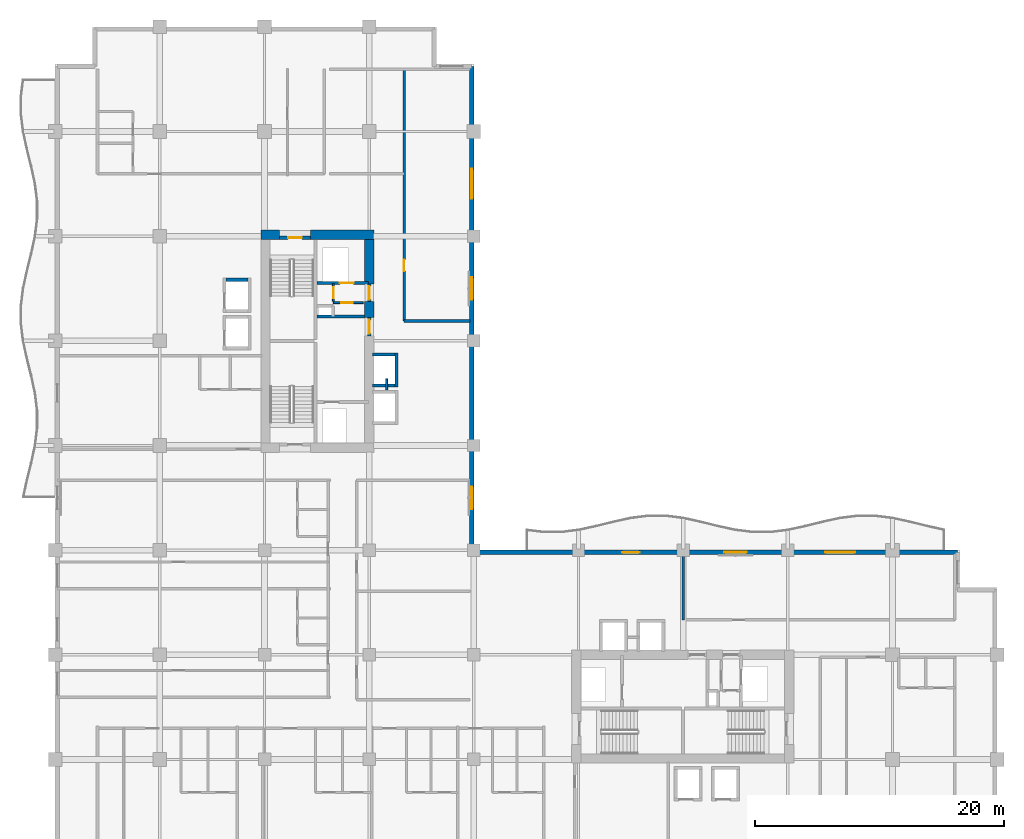
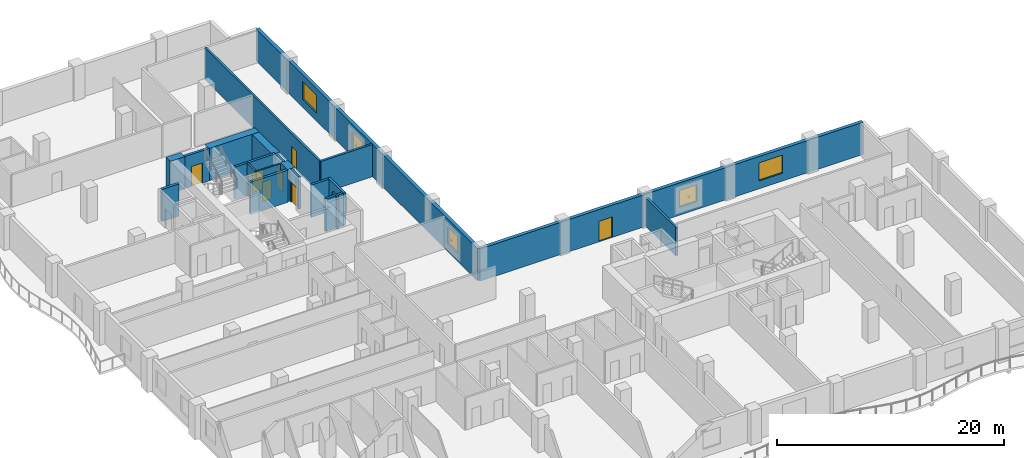
# One storey, part 8 of 16: 21 walls, 8 doors, 5 windows, 13 openings.
"""IFC4 building model written with IfcOpenShell, lengths in metres."""

from ifc_helpers import new_model, si_unit, direction, frame, frame_2d, origin, place, context, subcontext, project, spatial, rectangle, extrude, material, layer, layer_set, type_object, element, fill, save


model = new_model("IFC4")

# Units and contexts
model_context = context("Model", 3, precision=1e-05, world=origin(), true_north=direction((0.0, 1.0)))
body_context = subcontext(model_context, "Body", "Model", "MODEL_VIEW")
ifc_project = project(units=[si_unit("LENGTHUNIT", "METRE"), si_unit("AREAUNIT", "SQUARE_METRE"), si_unit("VOLUMEUNIT", "CUBIC_METRE"), si_unit("PLANEANGLEUNIT", "RADIAN"), si_unit("MASSUNIT", "GRAM", prefix="KILO")], contexts=[model_context])

# Site, building, storey
site_placement = place(None, origin())
site = spatial("IfcSite", under=ifc_project, at=site_placement, CompositionType="ELEMENT")
building_placement = place(site_placement, origin())
building = spatial("IfcBuilding", under=site, at=building_placement, Name="Koriwani Terraces Tower", CompositionType="ELEMENT")
storey_placement = place(building_placement, frame((0.0, 0.0, 179.10009765625)))
storey = spatial("IfcBuildingStorey", under=building, at=storey_placement, Name="L43", CompositionType="ELEMENT", Elevation=179.10009765625)

# Walls
ifc_material_1 = material(Name="Concrete C60/75", Category="concrete")
ifc_layer_1 = layer(ifc_material_1, 0.75, Name="Concrete C60/75")
ifc_layer_set_1 = layer_set([ifc_layer_1], Name="Concrete C60/75")
wall_type_1 = type_object("IfcWallType", Name="WALL_CORE_RC_750", PredefinedType="SHEAR", material=ifc_layer_set_1)
wall_1_placement = place(storey_placement, frame((16.5, 58.925048828125, 0.0), z_axis=(0.0, 0.0, 1.0), x_axis=(1.0, 0.0, 0.0)))
element("IfcWall", 1, at=wall_1_placement, inside=storey, type_object=wall_type_1, Name="L43 West Split Core Shear Wall N1", PredefinedType="SHEAR", context=body_context, shape_type="SweptSolid", body=[
    extrude(rectangle(XDim=1.5, YDim=0.75, at=frame_2d((0.75, 0.0))), origin(), (0.0, 0.0, 1.0), 3.469970703125),
])
wall_2_placement = place(storey_placement, frame((20.5, 58.925048828125, 0.0), z_axis=(0.0, 0.0, 1.0), x_axis=(1.0, 0.0, 0.0)))
element("IfcWall", 2, at=wall_2_placement, inside=storey, type_object=wall_type_1, Name="L43 West Split Core Shear Wall N2", PredefinedType="SHEAR", context=body_context, shape_type="SweptSolid", body=[
    extrude(rectangle(XDim=5.074951171875, YDim=0.75, at=frame_2d((2.53759765625, 0.0))), origin(), (0.0, 0.0, 1.0), 3.469970703125),
])
wall_3_placement = place(storey_placement, frame((25.199951171875, 52.280029296875, 0.0), z_axis=(0.0, 0.0, 1.0), x_axis=(0.0, 1.0, 0.0)))
element("IfcWall", 3, at=wall_3_placement, inside=storey, type_object=wall_type_1, Name="L43 West Split Core Shear Wall E2", PredefinedType="SHEAR", context=body_context, shape_type="SweptSolid", body=[
    extrude(rectangle(XDim=1.27001953125, YDim=0.75, at=frame_2d((0.635009765625, 0.0))), origin(), (0.0, 0.0, 1.0), 3.469970703125),
])
wall_4_placement = place(storey_placement, frame((25.199951171875, 54.949951171875, 0.0), z_axis=(0.0, 0.0, 1.0), x_axis=(0.0, 1.0, 0.0)))
element("IfcWall", 4, at=wall_4_placement, inside=storey, type_object=wall_type_1, Name="L43 West Split Core Shear Wall E3", PredefinedType="SHEAR", context=body_context, shape_type="SweptSolid", body=[
    extrude(rectangle(XDim=3.60009765625, YDim=0.75, at=frame_2d((1.800048828125, 0.0))), origin(), (0.0, 0.0, 1.0), 3.469970703125),
])

# Wall, opening, door
ifc_material_2 = material(Name="Autoclaved Cellular Concrete Blockwork", Category="masonry")
ifc_layer_2 = layer(ifc_material_2, 0.199951171875, Name="Autoclaved Cellular Concrete Blockwork")
ifc_layer_set_2 = layer_set([ifc_layer_2], Name="Autoclaved Cellular Concrete Blockwork")
wall_type_2 = type_object("IfcWallType", Name="WALL_CORRIDOR_200", PredefinedType="PARTITIONING", material=ifc_layer_set_2)
wall_5_placement = place(storey_placement, frame((28.0, 52.0, 0.0), z_axis=(0.0, 0.0, 1.0), x_axis=(0.0, 1.0, 0.0)))
wall_5 = element("IfcWall", 5, at=wall_5_placement, inside=storey, type_object=wall_type_2, Name="L43 Interior Wall WNWT2-W-L43", PredefinedType="PARTITIONING", context=body_context, shape_type="SweptSolid", body=[
    extrude(rectangle(XDim=20.199951171875, YDim=0.199951171875, at=frame_2d((10.10009765625, 0.0))), origin(), (0.0, 0.0, 1.0), 3.469970703125),
])
opening_1_placement = place(wall_5_placement, frame((4.0, 0.0, 0.0)))
opening_1 = element("IfcOpeningElement", 6, at=opening_1_placement, cuts=wall_5, Name="Opening D-06", PredefinedType="OPENING", context=body_context, shape_type="SweptSolid", body=[
    extrude(rectangle(XDim=0.919921875, YDim=2.10009765625, at=frame_2d((0.4599609375, 1.050048828125))), frame((0.0, 0.10986328125, 0.0), z_axis=(0.0, -1.0, 0.0), x_axis=(1.0, 0.0, 0.0)), (0.0, 0.0, 1.0), 0.219970703125),
])
ifc_material_3 = material(Name="Architectural Oak Fire Door", Category="wood")
door_type_1 = type_object("IfcDoorType", Name="DOOR_ROOM_INT_920X2100", OperationType="NOTDEFINED", PredefinedType="DOOR", material=ifc_material_3)
door_1_placement = place(opening_1_placement, origin())
door_1 = element("IfcDoor", 7, at=door_1_placement, inside=storey, type_object=door_type_1, Name="L43 North Court Lounge Door", OperationType="SINGLE_SWING_LEFT", OverallHeight=2.10009765625, OverallWidth=0.919921875, PredefinedType="DOOR", context=body_context, shape_type="SweptSolid", body=[
    extrude(rectangle(XDim=0.919921875, YDim=2.10009765625, at=frame_2d((0.4599609375, 1.050048828125))), frame((0.0, 0.02490234375, 0.0), z_axis=(0.0, -1.0, 0.0), x_axis=(1.0, 0.0, 0.0)), (0.0, 0.0, 1.0), 0.050048828125),
])
fill(opening_1, door_1)

# Walls
ifc_layer_3 = layer(ifc_material_2, 0.219970703125, Name="Autoclaved Cellular Concrete Blockwork")
ifc_layer_set_3 = layer_set([ifc_layer_3], Name="Autoclaved Cellular Concrete Blockwork")
wall_type_3 = type_object("IfcWallType", Name="WALL_DEMISING_220", PredefinedType="PARTITIONING", material=ifc_layer_set_3)
wall_6_placement = place(storey_placement, frame((28.0, 52.0, 0.0), z_axis=(0.0, 0.0, 1.0), x_axis=(1.0, 0.0, 0.0)))
element("IfcWall", 8, at=wall_6_placement, inside=storey, type_object=wall_type_3, Name="L43 Interior Wall WNWT2-S-L43", PredefinedType="PARTITIONING", context=body_context, shape_type="SweptSolid", body=[
    extrude(rectangle(XDim=5.300048828125, YDim=0.219970703125, at=frame_2d((2.64990234375, 0.0))), origin(), (0.0, 0.0, 1.0), 3.469970703125),
])
wall_7_placement = place(storey_placement, frame((50.39990234375, 28.0, 0.0), z_axis=(0.0, 0.0, 1.0), x_axis=(0.0, 1.0, 0.0)))
element("IfcWall", 9, at=wall_7_placement, inside=storey, type_object=wall_type_3, Name="L43 Interior Wall WSEC-W-L43", PredefinedType="PARTITIONING", context=body_context, shape_type="SweptSolid", body=[
    extrude(rectangle(XDim=5.300048828125, YDim=0.219970703125, at=frame_2d((2.64990234375, 0.0))), origin(), (0.0, 0.0, 1.0), 3.052978515625),
])

# Wall, openings, windows
ifc_material_4 = material(Name="Concrete C50/60", Category="concrete")
ifc_layer_4 = layer(ifc_material_4, 0.35009765625, Name="Concrete C50/60")
ifc_layer_set_4 = layer_set([ifc_layer_4], Name="Concrete C50/60")
wall_type_4 = type_object("IfcWallType", Name="WALL_EXT_BRUTALIST_350", PredefinedType="STANDARD", material=ifc_layer_set_4)
wall_8_placement = place(storey_placement, frame((33.425048828125, 72.425048828125, 0.0), z_axis=(0.0, 0.0, 1.0), x_axis=(0.0, -1.0, 0.0)))
wall_8 = element("IfcWall", 10, at=wall_8_placement, inside=storey, type_object=wall_type_4, Name="L43 Fair-Faced Brutalist Exterior Wall (NW_IN)", PredefinedType="STANDARD", context=body_context, shape_type="SweptSolid", body=[
    extrude(rectangle(XDim=39.0, YDim=0.35009765625, at=frame_2d((19.5, 0.0))), origin(), (0.0, 0.0, 1.0), 3.469970703125),
])
opening_2_placement = place(wall_8_placement, frame((33.72509765625, 0.0, 0.85009765625)))
opening_2 = element("IfcOpeningElement", 11, at=opening_2_placement, cuts=wall_8, Name="Opening W-04", PredefinedType="OPENING", context=body_context, shape_type="SweptSolid", body=[
    extrude(rectangle(XDim=1.800048828125, YDim=1.800048828125, at=frame_2d((0.89990234375, 0.89990234375))), frame((0.0, 0.18505859375, 0.0), z_axis=(0.0, -1.0, 0.0), x_axis=(1.0, 0.0, 0.0)), (0.0, 0.0, 1.0), 0.3701171875),
])
opening_3_placement = place(wall_8_placement, frame((16.925048828125, 0.0, 0.85009765625)))
opening_3 = element("IfcOpeningElement", 12, at=opening_3_placement, cuts=wall_8, Name="Opening W-04", PredefinedType="OPENING", context=body_context, shape_type="SweptSolid", body=[
    extrude(rectangle(XDim=1.800048828125, YDim=1.800048828125, at=frame_2d((0.89990234375, 0.89990234375))), frame((0.0, 0.18505859375, 0.0), z_axis=(0.0, -1.0, 0.0), x_axis=(1.0, 0.0, 0.0)), (0.0, 0.0, 1.0), 0.3701171875),
])
opening_4_placement = place(wall_8_placement, frame((8.22509765625, 0.0, 0.85009765625)))
opening_4 = element("IfcOpeningElement", 13, at=opening_4_placement, cuts=wall_8, Name="Opening W-03", PredefinedType="OPENING", context=body_context, shape_type="SweptSolid", body=[
    extrude(rectangle(XDim=2.39990234375, YDim=1.949951171875, at=frame_2d((1.199951171875, 0.97509765625))), frame((0.0, 0.18505859375, 0.0), z_axis=(0.0, -1.0, 0.0), x_axis=(1.0, 0.0, 0.0)), (0.0, 0.0, 1.0), 0.3701171875),
])
ifc_material_5 = material(Name="Tempered Laminated Low-E Glass", Category="glass")
window_type_1 = type_object("IfcWindowType", Name="WIN_RES_BED_1800X1800", PartitioningType="DOUBLE_PANEL_VERTICAL", PredefinedType="WINDOW", material=ifc_material_5)
window_1_placement = place(opening_2_placement, origin())
window_1 = element("IfcWindow", 14, at=window_1_placement, inside=storey, type_object=window_type_1, Name="L43 Exterior Window (NW_IN-2)", OverallHeight=1.800048828125, OverallWidth=1.800048828125, PartitioningType="SINGLE_PANEL", PredefinedType="WINDOW", context=body_context, shape_type="SweptSolid", body=[
    extrude(rectangle(XDim=1.800048828125, YDim=1.800048828125, at=frame_2d((0.89990234375, 0.89990234375))), frame((0.0, 0.030029296875, 0.0), z_axis=(0.0, -1.0, 0.0), x_axis=(1.0, 0.0, 0.0)), (0.0, 0.0, 1.0), 0.06005859375),
])
fill(opening_2, window_1)
window_2_placement = place(opening_3_placement, origin())
window_2 = element("IfcWindow", 15, at=window_2_placement, inside=storey, type_object=window_type_1, Name="L43 Exterior Window (NW_IN-8)", OverallHeight=1.800048828125, OverallWidth=1.800048828125, PartitioningType="SINGLE_PANEL", PredefinedType="WINDOW", context=body_context, shape_type="SweptSolid", body=[
    extrude(rectangle(XDim=1.800048828125, YDim=1.800048828125, at=frame_2d((0.89990234375, 0.89990234375))), frame((0.0, 0.030029296875, 0.0), z_axis=(0.0, -1.0, 0.0), x_axis=(1.0, 0.0, 0.0)), (0.0, 0.0, 1.0), 0.06005859375),
])
fill(opening_3, window_2)
window_type_2 = type_object("IfcWindowType", Name="WIN_RES_LIVING_2400X1950", PartitioningType="DOUBLE_PANEL_VERTICAL", PredefinedType="WINDOW", material=ifc_material_5)
window_3_placement = place(opening_4_placement, origin())
window_3 = element("IfcWindow", 16, at=window_3_placement, inside=storey, type_object=window_type_2, Name="L43 Exterior Window (NW_IN-11)", OverallHeight=1.949951171875, OverallWidth=2.39990234375, PartitioningType="SINGLE_PANEL", PredefinedType="WINDOW", context=body_context, shape_type="SweptSolid", body=[
    extrude(rectangle(XDim=2.39990234375, YDim=1.949951171875, at=frame_2d((1.199951171875, 0.97509765625))), frame((0.0, 0.030029296875, 0.0), z_axis=(0.0, -1.0, 0.0), x_axis=(1.0, 0.0, 0.0)), (0.0, 0.0, 1.0), 0.06005859375),
])
fill(opening_4, window_3)

# Wall, openings, door, windows
wall_9_placement = place(storey_placement, frame((33.425048828125, 33.425048828125, 0.0), z_axis=(0.0, 0.0, 1.0), x_axis=(1.0, 0.0, 0.0)))
wall_9 = element("IfcWall", 17, at=wall_9_placement, inside=storey, type_object=wall_type_4, Name="L43 Fair-Faced Brutalist Exterior Wall (NE)", PredefinedType="STANDARD", context=body_context, shape_type="SweptSolid", body=[
    extrude(rectangle(XDim=39.0, YDim=0.35009765625, at=frame_2d((19.5, 0.0))), origin(), (0.0, 0.0, 1.0), 3.469970703125),
])
opening_5_placement = place(wall_9_placement, frame((12.074951171875, 0.0, 0.0)))
opening_5 = element("IfcOpeningElement", 18, at=opening_5_placement, cuts=wall_9, Name="Opening D-09", PredefinedType="OPENING", context=body_context, shape_type="SweptSolid", body=[
    extrude(rectangle(XDim=1.39990234375, YDim=2.199951171875, at=frame_2d((0.699951171875, 1.10009765625))), frame((0.0, 0.18505859375, 0.0), z_axis=(0.0, -1.0, 0.0), x_axis=(1.0, 0.0, 0.0)), (0.0, 0.0, 1.0), 0.3701171875),
])
opening_6_placement = place(wall_9_placement, frame((20.27490234375, 0.0, 0.85009765625)))
opening_6 = element("IfcOpeningElement", 19, at=opening_6_placement, cuts=wall_9, Name="Opening W-04", PredefinedType="OPENING", context=body_context, shape_type="SweptSolid", body=[
    extrude(rectangle(XDim=1.800048828125, YDim=1.800048828125, at=frame_2d((0.89990234375, 0.89990234375))), frame((0.0, 0.18505859375, 0.0), z_axis=(0.0, -1.0, 0.0), x_axis=(1.0, 0.0, 0.0)), (0.0, 0.0, 1.0), 0.3701171875),
])
opening_7_placement = place(wall_9_placement, frame((28.375, 0.0, 0.85009765625)))
opening_7 = element("IfcOpeningElement", 20, at=opening_7_placement, cuts=wall_9, Name="Opening W-03", PredefinedType="OPENING", context=body_context, shape_type="SweptSolid", body=[
    extrude(rectangle(XDim=2.39990234375, YDim=1.949951171875, at=frame_2d((1.199951171875, 0.97509765625))), frame((0.0, 0.18505859375, 0.0), z_axis=(0.0, -1.0, 0.0), x_axis=(1.0, 0.0, 0.0)), (0.0, 0.0, 1.0), 0.3701171875),
])
ifc_material_6 = material(Name="Anodised Bronze Aluminium", Category="aluminium")
door_type_2 = type_object("IfcDoorType", Name="DOOR_BALCONY_GLAZED_1400X2200", OperationType="NOTDEFINED", PredefinedType="DOOR", material=ifc_material_6)
door_2_placement = place(opening_5_placement, origin())
door_2 = element("IfcDoor", 21, at=door_2_placement, inside=storey, type_object=door_type_2, Name="L43 Inner Court Balcony Glazed Door", OperationType="SINGLE_SWING_LEFT", OverallHeight=2.199951171875, OverallWidth=1.39990234375, PredefinedType="DOOR", context=body_context, shape_type="SweptSolid", body=[
    extrude(rectangle(XDim=1.39990234375, YDim=2.199951171875, at=frame_2d((0.699951171875, 1.10009765625))), frame((0.0, 0.02490234375, 0.0), z_axis=(0.0, -1.0, 0.0), x_axis=(1.0, 0.0, 0.0)), (0.0, 0.0, 1.0), 0.050048828125),
])
fill(opening_5, door_2)
window_4_placement = place(opening_6_placement, origin())
window_4 = element("IfcWindow", 22, at=window_4_placement, inside=storey, type_object=window_type_1, Name="L43 Exterior Window (NE-8)", OverallHeight=1.800048828125, OverallWidth=1.800048828125, PartitioningType="SINGLE_PANEL", PredefinedType="WINDOW", context=body_context, shape_type="SweptSolid", body=[
    extrude(rectangle(XDim=1.800048828125, YDim=1.800048828125, at=frame_2d((0.89990234375, 0.89990234375))), frame((0.0, 0.030029296875, 0.0), z_axis=(0.0, -1.0, 0.0), x_axis=(1.0, 0.0, 0.0)), (0.0, 0.0, 1.0), 0.06005859375),
])
fill(opening_6, window_4)
window_5_placement = place(opening_7_placement, origin())
window_5 = element("IfcWindow", 23, at=window_5_placement, inside=storey, type_object=window_type_2, Name="L43 Exterior Window (NE-11)", OverallHeight=1.949951171875, OverallWidth=2.39990234375, PartitioningType="SINGLE_PANEL", PredefinedType="WINDOW", context=body_context, shape_type="SweptSolid", body=[
    extrude(rectangle(XDim=2.39990234375, YDim=1.949951171875, at=frame_2d((1.199951171875, 0.97509765625))), frame((0.0, 0.030029296875, 0.0), z_axis=(0.0, -1.0, 0.0), x_axis=(1.0, 0.0, 0.0)), (0.0, 0.0, 1.0), 0.06005859375),
])
fill(opening_7, window_5)

# Wall, opening, door
ifc_material_7 = material(Name="Concrete C40/50", Category="concrete")
ifc_layer_5 = layer(ifc_material_7, 0.25, Name="Concrete C40/50")
ifc_layer_set_5 = layer_set([ifc_layer_5], Name="Concrete C40/50")
wall_type_5 = type_object("IfcWallType", Name="WALL_SHAFT_RATED_250", PredefinedType="SOLIDWALL", material=ifc_layer_set_5)
wall_10_placement = place(storey_placement, frame((18.0, 58.675048828125, 0.0), z_axis=(0.0, 0.0, 1.0), x_axis=(1.0, 0.0, 0.0)))
wall_10 = element("IfcWall", 24, at=wall_10_placement, inside=storey, type_object=wall_type_5, Name="L43 Interior Wall WIN-CW-L43-STN", PredefinedType="SOLIDWALL", context=body_context, shape_type="SweptSolid", body=[
    extrude(rectangle(XDim=2.5, YDim=0.25, at=frame_2d((1.25, 0.0))), origin(), (0.0, 0.0, 1.0), 3.469970703125),
])
opening_8_placement = place(wall_10_placement, frame((0.699951171875, 0.0, 0.0)))
opening_8 = element("IfcOpeningElement", 25, at=opening_8_placement, cuts=wall_10, Name="Opening D-03", PredefinedType="OPENING", context=body_context, shape_type="SweptSolid", body=[
    extrude(rectangle(XDim=1.10009765625, YDim=2.14990234375, at=frame_2d((0.550048828125, 1.074951171875))), frame((0.0, 0.135009765625, 0.0), z_axis=(0.0, -1.0, 0.0), x_axis=(1.0, 0.0, 0.0)), (0.0, 0.0, 1.0), 0.27001953125),
])
ifc_material_8 = material(Name="Steel ASTM A572 Grade 50", Category="steel")
door_type_3 = type_object("IfcDoorType", Name="DOOR_STAIR_FIRE_1100X2150", OperationType="NOTDEFINED", PredefinedType="DOOR", material=ifc_material_8)
door_3_placement = place(opening_8_placement, origin())
door_3 = element("IfcDoor", 26, at=door_3_placement, inside=storey, type_object=door_type_3, Name="L43 Exit Stair ST-W2 Door", OperationType="SINGLE_SWING_RIGHT", OverallHeight=2.14990234375, OverallWidth=1.10009765625, PredefinedType="DOOR", context=body_context, shape_type="SweptSolid", body=[
    extrude(rectangle(XDim=1.10009765625, YDim=2.14990234375, at=frame_2d((0.550048828125, 1.074951171875))), frame((0.0, 0.02490234375, 0.0), z_axis=(0.0, -1.0, 0.0), x_axis=(1.0, 0.0, 0.0)), (0.0, 0.0, 1.0), 0.050048828125),
])
fill(opening_8, door_3)

wall_11_placement = place(storey_placement, frame((25.199951171875, 50.800048828125, 0.0), z_axis=(0.0, 0.0, 1.0), x_axis=(0.0, 1.0, 0.0)))
wall_11 = element("IfcWall", 27, at=wall_11_placement, inside=storey, type_object=wall_type_5, Name="L43 Interior Wall WIN-CW-L43-EP", PredefinedType="SOLIDWALL", context=body_context, shape_type="SweptSolid", body=[
    extrude(rectangle(XDim=1.47998046875, YDim=0.25, at=frame_2d((0.739990234375, 0.0))), origin(), (0.0, 0.0, 1.0), 3.469970703125),
])
opening_9_placement = place(wall_11_placement, frame((0.179931640625, 0.0, 0.0)))
opening_9 = element("IfcOpeningElement", 28, at=opening_9_placement, cuts=wall_11, Name="Opening D-03", PredefinedType="OPENING", context=body_context, shape_type="SweptSolid", body=[
    extrude(rectangle(XDim=1.10009765625, YDim=2.14990234375, at=frame_2d((0.550048828125, 1.074951171875))), frame((0.0, 0.135009765625, 0.0), z_axis=(0.0, -1.0, 0.0), x_axis=(1.0, 0.0, 0.0)), (0.0, 0.0, 1.0), 0.27001953125),
])
door_4_placement = place(opening_9_placement, origin())
door_4 = element("IfcDoor", 29, at=door_4_placement, inside=storey, type_object=door_type_3, Name="L43 West Firefighting Lobby Door", OperationType="SINGLE_SWING_LEFT", OverallHeight=2.14990234375, OverallWidth=1.10009765625, PredefinedType="DOOR", context=body_context, shape_type="SweptSolid", body=[
    extrude(rectangle(XDim=1.10009765625, YDim=2.14990234375, at=frame_2d((0.550048828125, 1.074951171875))), frame((0.0, 0.02490234375, 0.0), z_axis=(0.0, -1.0, 0.0), x_axis=(1.0, 0.0, 0.0)), (0.0, 0.0, 1.0), 0.050048828125),
])
fill(opening_9, door_4)

# Wall
wall_12_placement = place(storey_placement, frame((21.0, 52.340087890625, 0.0), z_axis=(0.0, 0.0, 1.0), x_axis=(1.0, 0.0, 0.0)))
element("IfcWall", 30, at=wall_12_placement, inside=storey, type_object=wall_type_5, Name="L43 Interior Wall WIN-CW-L43-FFN", PredefinedType="SOLIDWALL", context=body_context, shape_type="SweptSolid", body=[
    extrude(rectangle(XDim=3.824951171875, YDim=0.25, at=frame_2d((1.91259765625, 0.0))), origin(), (0.0, 0.0, 1.0), 3.469970703125),
])

# Wall, opening, door
wall_13_placement = place(storey_placement, frame((21.0, 55.050048828125, 0.0), z_axis=(0.0, 0.0, 1.0), x_axis=(1.0, 0.0, 0.0)))
wall_13 = element("IfcWall", 31, at=wall_13_placement, inside=storey, type_object=wall_type_5, Name="L43 Interior Wall WIN-CW-L43-SE", PredefinedType="SOLIDWALL", context=body_context, shape_type="SweptSolid", body=[
    extrude(rectangle(XDim=4.14990234375, YDim=0.25, at=frame_2d((2.074951171875, 0.0))), origin(), (0.0, 0.0, 1.0), 3.469970703125),
])
opening_10_placement = place(wall_13_placement, frame((1.85009765625, 0.0, 0.0)))
opening_10 = element("IfcOpeningElement", 32, at=opening_10_placement, cuts=wall_13, Name="Opening LD-01", PredefinedType="OPENING", context=body_context, shape_type="SweptSolid", body=[
    extrude(rectangle(XDim=1.10009765625, YDim=2.14990234375, at=frame_2d((0.550048828125, 1.074951171875))), frame((0.0, 0.135009765625, 0.0), z_axis=(0.0, -1.0, 0.0), x_axis=(1.0, 0.0, 0.0)), (0.0, 0.0, 1.0), 0.27001953125),
])
door_type_4 = type_object("IfcDoorType", Name="DOOR_LIFT_LANDING_1100X2200", OperationType="NOTDEFINED", PredefinedType="DOOR", material=ifc_material_8)
door_5_placement = place(opening_10_placement, origin())
door_5 = element("IfcDoor", 33, at=door_5_placement, inside=storey, type_object=door_type_4, Name="L43 Goods Lift SE-01 Landing Door", OperationType="SLIDING_TO_LEFT", OverallHeight=2.14990234375, OverallWidth=1.10009765625, PredefinedType="DOOR", context=body_context, shape_type="SweptSolid", body=[
    extrude(rectangle(XDim=1.10009765625, YDim=2.14990234375, at=frame_2d((0.550048828125, 1.074951171875))), frame((0.0, 0.02490234375, 0.0), z_axis=(0.0, -1.0, 0.0), x_axis=(1.0, 0.0, 0.0)), (0.0, 0.0, 1.0), 0.050048828125),
])
fill(opening_10, door_5)

wall_14_placement = place(storey_placement, frame((25.199951171875, 53.550048828125, 0.0), z_axis=(0.0, 0.0, 1.0), x_axis=(0.0, 1.0, 0.0)))
wall_14 = element("IfcWall", 34, at=wall_14_placement, inside=storey, type_object=wall_type_5, Name="L43 Interior Wall WIN-CW-L43-EP2", PredefinedType="SOLIDWALL", context=body_context, shape_type="SweptSolid", body=[
    extrude(rectangle(XDim=1.39990234375, YDim=0.25, at=frame_2d((0.699951171875, 0.0))), origin(), (0.0, 0.0, 1.0), 3.469970703125),
])
opening_11_placement = place(wall_14_placement, frame((0.14990234375, 0.0, 0.0)))
opening_11 = element("IfcOpeningElement", 35, at=opening_11_placement, cuts=wall_14, Name="Opening D-03", PredefinedType="OPENING", context=body_context, shape_type="SweptSolid", body=[
    extrude(rectangle(XDim=1.10009765625, YDim=2.14990234375, at=frame_2d((0.550048828125, 1.074951171875))), frame((0.0, 0.135009765625, 0.0), z_axis=(0.0, -1.0, 0.0), x_axis=(1.0, 0.0, 0.0)), (0.0, 0.0, 1.0), 0.27001953125),
])
door_6_placement = place(opening_11_placement, origin())
door_6 = element("IfcDoor", 36, at=door_6_placement, inside=storey, type_object=door_type_3, Name="L43 West Goods Lift Lobby Door", OperationType="SINGLE_SWING_RIGHT", OverallHeight=2.14990234375, OverallWidth=1.10009765625, PredefinedType="DOOR", context=body_context, shape_type="SweptSolid", body=[
    extrude(rectangle(XDim=1.10009765625, YDim=2.14990234375, at=frame_2d((0.550048828125, 1.074951171875))), frame((0.0, 0.02490234375, 0.0), z_axis=(0.0, -1.0, 0.0), x_axis=(1.0, 0.0, 0.0)), (0.0, 0.0, 1.0), 0.050048828125),
])
fill(opening_11, door_6)

# Walls
wall_15_placement = place(storey_placement, frame((13.72509765625, 55.300048828125, 0.0), z_axis=(0.0, 0.0, 1.0), x_axis=(1.0, 0.0, 0.0)))
element("IfcWall", 37, at=wall_15_placement, inside=storey, type_object=wall_type_5, Name="L43 Interior Wall WIN-LF-PE-M2-L43-N", PredefinedType="SOLIDWALL", context=body_context, shape_type="SweptSolid", body=[
    extrude(rectangle(XDim=1.75, YDim=0.25, at=frame_2d((0.875, 0.0))), origin(), (0.0, 0.0, 1.0), 3.469970703125),
])
wall_16_placement = place(storey_placement, frame((27.39990234375, 46.675048828125, 0.0), z_axis=(0.0, 0.0, 1.0), x_axis=(0.0, 1.0, 0.0)))
element("IfcWall", 38, at=wall_16_placement, inside=storey, type_object=wall_type_5, Name="L43 Interior Wall WIN-LF-PE-H2-L43-F", PredefinedType="SOLIDWALL", context=body_context, shape_type="SweptSolid", body=[
    extrude(rectangle(XDim=2.75, YDim=0.25, at=frame_2d((1.375, 0.0))), origin(), (0.0, 0.0, 1.0), 3.469970703125),
])
for number, where, z_axis, x_axis, name in (
    (39, (25.449951171875, 46.800048828125, 0.0), (0.0, 0.0, 1.0), (1.0, 0.0, 0.0), "L43 Interior Wall WIN-LF-PE-H2-L43-S"),
    (40, (25.449951171875, 49.300048828125, 0.0), (0.0, 0.0, 1.0), (1.0, 0.0, 0.0), "L43 Interior Wall WIN-LF-PE-H2-L43-N"),
):
    element("IfcWall", number, at=place(storey_placement, frame(where, z_axis=z_axis, x_axis=x_axis)), inside=storey, type_object=wall_type_5, Name=name, PredefinedType="SOLIDWALL", context=body_context, shape_type="SweptSolid", body=[
        extrude(rectangle(XDim=1.824951171875, YDim=0.25, at=frame_2d((0.91259765625, 0.0))), origin(), (0.0, 0.0, 1.0), 3.469970703125),
    ])

# Wall, opening, door
ifc_material_9 = material(Name="Fire-Rated Acoustic Gypsum Partition", Category="masonry")
ifc_layer_6 = layer(ifc_material_9, 0.159912109375, Name="Fire-Rated Acoustic Gypsum Partition")
ifc_layer_set_6 = layer_set([ifc_layer_6], Name="Fire-Rated Acoustic Gypsum Partition")
wall_type_6 = type_object("IfcWallType", Name="WALL_SUITE_160", PredefinedType="PARTITIONING", material=ifc_layer_set_6)
wall_17_placement = place(storey_placement, frame((22.320068359375, 53.56005859375, 0.0), z_axis=(0.0, 0.0, 1.0), x_axis=(0.0, 1.0, 0.0)))
wall_17 = element("IfcWall", 41, at=wall_17_placement, inside=storey, type_object=wall_type_6, Name="L43 Interior Wall WIN-CW-L43-SV1A", PredefinedType="PARTITIONING", context=body_context, shape_type="SweptSolid", body=[
    extrude(rectangle(XDim=1.43994140625, YDim=0.159912109375, at=frame_2d((0.719970703125, 0.0))), origin(), (0.0, 0.0, 1.0), 3.469970703125),
])
opening_12_placement = place(wall_17_placement, frame((0.260009765625, 0.0, 0.0)))
opening_12 = element("IfcOpeningElement", 42, at=opening_12_placement, cuts=wall_17, Name="Opening D-07", PredefinedType="OPENING", context=body_context, shape_type="SweptSolid", body=[
    extrude(rectangle(XDim=0.89990234375, YDim=2.10009765625, at=frame_2d((0.449951171875, 1.050048828125))), frame((0.0, 0.08984375, 0.0), z_axis=(0.0, -1.0, 0.0), x_axis=(1.0, 0.0, 0.0)), (0.0, 0.0, 1.0), 0.179931640625),
])
door_type_5 = type_object("IfcDoorType", Name="DOOR_BATH_INT_900X2100", OperationType="NOTDEFINED", PredefinedType="DOOR", material=ifc_material_3)
door_7_placement = place(opening_12_placement, origin())
door_7 = element("IfcDoor", 43, at=door_7_placement, inside=storey, type_object=door_type_5, Name="L43 West Telecom Room Door", OperationType="SINGLE_SWING_LEFT", OverallHeight=2.10009765625, OverallWidth=0.89990234375, PredefinedType="DOOR", context=body_context, shape_type="SweptSolid", body=[
    extrude(rectangle(XDim=0.89990234375, YDim=2.10009765625, at=frame_2d((0.449951171875, 1.050048828125))), frame((0.0, 0.02490234375, 0.0), z_axis=(0.0, -1.0, 0.0), x_axis=(1.0, 0.0, 0.0)), (0.0, 0.0, 1.0), 0.050048828125),
])
fill(opening_12, door_7)

wall_18_placement = place(storey_placement, frame((22.320068359375, 53.4599609375, 0.0), z_axis=(0.0, 0.0, 1.0), x_axis=(1.0, 0.0, 0.0)))
wall_18 = element("IfcWall", 44, at=wall_18_placement, inside=storey, type_object=wall_type_6, Name="L43 Interior Wall WIN-CW-L43-SV1B", PredefinedType="PARTITIONING", context=body_context, shape_type="SweptSolid", body=[
    extrude(rectangle(XDim=2.39990234375, YDim=0.159912109375, at=frame_2d((1.199951171875, 0.0))), origin(), (0.0, 0.0, 1.0), 3.469970703125),
])
opening_13_placement = place(wall_18_placement, frame((0.64990234375, 0.0, 0.0)))
opening_13 = element("IfcOpeningElement", 45, at=opening_13_placement, cuts=wall_18, Name="Opening D-07", PredefinedType="OPENING", context=body_context, shape_type="SweptSolid", body=[
    extrude(rectangle(XDim=0.89990234375, YDim=2.10009765625, at=frame_2d((0.449951171875, 1.050048828125))), frame((0.0, 0.08984375, 0.0), z_axis=(0.0, -1.0, 0.0), x_axis=(1.0, 0.0, 0.0)), (0.0, 0.0, 1.0), 0.179931640625),
])
door_8_placement = place(opening_13_placement, origin())
door_8 = element("IfcDoor", 46, at=door_8_placement, inside=storey, type_object=door_type_5, Name="L43 West Cleaners Closet Door", OperationType="SINGLE_SWING_RIGHT", OverallHeight=2.10009765625, OverallWidth=0.89990234375, PredefinedType="DOOR", context=body_context, shape_type="SweptSolid", body=[
    extrude(rectangle(XDim=0.89990234375, YDim=2.10009765625, at=frame_2d((0.449951171875, 1.050048828125))), frame((0.0, 0.02490234375, 0.0), z_axis=(0.0, -1.0, 0.0), x_axis=(1.0, 0.0, 0.0)), (0.0, 0.0, 1.0), 0.050048828125),
])
fill(opening_13, door_8)

# Wall
wall_19_placement = place(storey_placement, frame((26.60009765625, 46.4599609375, 0.0), z_axis=(0.0, 0.0, 1.0), x_axis=(0.0, 1.0, 0.0)))
element("IfcWall", 47, at=wall_19_placement, inside=storey, type_object=wall_type_6, Name="L43 Interior Wall WIN-LF-PEH12-MID-L43", PredefinedType="PARTITIONING", context=body_context, shape_type="SweptSolid", body=[
    extrude(rectangle(XDim=0.880126953125, YDim=0.159912109375, at=frame_2d((0.43994140625, 0.0))), origin(), (0.0, 0.0, 1.0), 3.469970703125),
])

save(model, "model.ifc")
